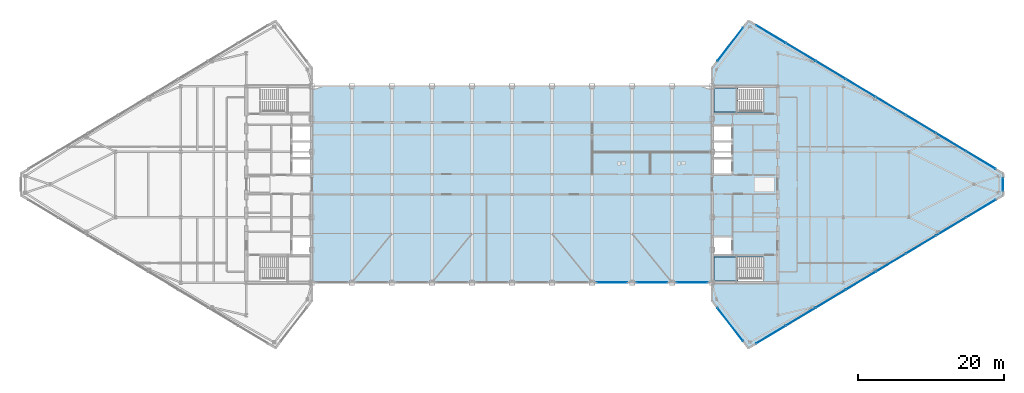
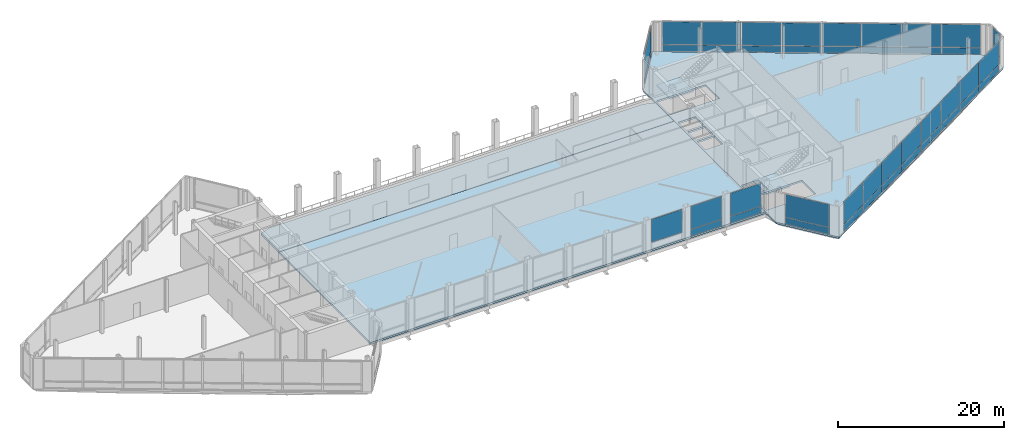
# One storey, part 20 of 28: 43 plates, 5 slabs, 10 elements without a shape of their own.
"""IFC4 building model written with IfcOpenShell, lengths in metres."""

from ifc_helpers import new_model, si_unit, direction, frame, origin, origin_2d, place, context, subcontext, project, spatial, polyline, rectangle, outline, extrude, source, transform, mapped, material, layer, layer_set, type_object, type_shapes, element, aggregate, save


model = new_model("IFC4")

# Units and contexts
model_context = context("Model", 3, precision=1e-05, world=origin(), true_north=direction((0.0, 1.0)))
body_context = subcontext(model_context, "Body", "Model", "MODEL_VIEW")
ifc_project = project(units=[si_unit("LENGTHUNIT", "METRE"), si_unit("AREAUNIT", "SQUARE_METRE"), si_unit("VOLUMEUNIT", "CUBIC_METRE"), si_unit("PLANEANGLEUNIT", "RADIAN"), si_unit("MASSUNIT", "GRAM", prefix="KILO")], contexts=[model_context])

# Site, building, storey
site_placement = place(None, origin())
site = spatial("IfcSite", under=ifc_project, at=site_placement, CompositionType="ELEMENT")
building_placement = place(site_placement, origin())
building = spatial("IfcBuilding", under=site, at=building_placement, Name="Seokmaru Belvedere", CompositionType="ELEMENT")
storey_placement = place(building_placement, frame((0.0, 0.0, 274.199951171875)))
storey = spatial("IfcBuildingStorey", under=building, at=storey_placement, Name="L72", CompositionType="ELEMENT", Elevation=274.199951171875)

# Slabs
ifc_material_1 = material(Name="Concrete C40 (40 MPa)", Category="concrete")
ifc_layer_1 = layer(ifc_material_1, 0.25)
ifc_layer_set_1 = layer_set([ifc_layer_1], Name="Concrete C40 (40 MPa)")
slab_type_1 = type_object("IfcSlabType", Name="Observation Viewing Terrace Slab 250", PredefinedType="ROOF", material=ifc_layer_set_1)
slab_1_placement = place(storey_placement, frame((0.0, 0.0, -0.25)))
element("IfcSlab", 1, at=slab_1_placement, inside=storey, type_object=slab_type_1, Name="L72 Public Observation Outdoor Viewing Terrace Slab", PredefinedType="ROOF", context=body_context, shape_type="SweptSolid", body=[
    extrude(outline(polyline([(-27.449951171875, 8.52001953125), (27.449951171875, 8.52001953125), (27.449951171875, 13.0), (26.0, 13.5), (-26.0, 13.5), (-27.449951171875, 13.0), (-27.449951171875, 8.52001953125)])), origin(), (0.0, 0.0, 1.0), 0.25),
])
ifc_material_2 = material(Name="Concrete C50 (50 MPa)", Category="concrete")
ifc_layer_2 = layer(ifc_material_2, 0.260009765625)
ifc_layer_set_2 = layer_set([ifc_layer_2], Name="Concrete C50 (50 MPa)")
slab_type_2 = type_object("IfcSlabType", Name="Refuge and Sky-Gate Heavy Floor Slab 260", PredefinedType="FLOOR", material=ifc_layer_set_2)
slab_2_placement = place(storey_placement, frame((0.0, 0.0, -0.260009765625)))
element("IfcSlab", 2, at=slab_2_placement, inside=storey, type_object=slab_type_2, Name="L72 East Leg Floor Slab", PredefinedType="FLOOR", context=body_context, shape_type="SweptSolid", body=[
    extrude(outline(polyline([(32.5, -22.5), (67.5, -1.5), (67.5, 1.5), (32.5, 22.5), (27.5, 16.0), (27.5, -16.0), (32.5, -22.5)]), holes=[polyline([(27.75, -13.25), (34.60009765625, -13.25), (34.60009765625, -9.949951171875), (27.75, -9.949951171875), (27.75, -13.25)]), polyline([(27.75, 9.949951171875), (34.60009765625, 9.949951171875), (34.60009765625, 13.25), (27.75, 13.25), (27.75, 9.949951171875)]), polyline([(27.75, -9.550048828125), (30.14990234375, -9.550048828125), (30.14990234375, -7.25), (27.75, -7.25), (27.75, -9.550048828125)]), polyline([(27.75, 1.449951171875), (30.14990234375, 1.449951171875), (30.14990234375, 3.449951171875), (27.75, 3.449951171875), (27.75, 1.449951171875)]), polyline([(27.75, 3.75), (30.14990234375, 3.75), (30.14990234375, 5.75), (27.75, 5.75), (27.75, 3.75)]), polyline([(27.75, 6.050048828125), (30.14990234375, 6.050048828125), (30.14990234375, 8.050048828125), (27.75, 8.050048828125), (27.75, 6.050048828125)])]), origin(), (0.0, 0.0, 1.0), 0.260009765625),
])
slab_3_placement = place(storey_placement, frame((0.0, 0.0, -0.260009765625)))
element("IfcSlab", 3, at=slab_3_placement, inside=storey, type_object=slab_type_2, Name="L72 Sky-Gate Observation Belvedere Floor Slab", PredefinedType="FLOOR", context=body_context, shape_type="SweptSolid", body=[
    extrude(outline(polyline([(-27.5, -13.5), (27.5, -13.5), (27.5, 8.5), (-27.5, 8.5), (-27.5, -13.5)])), origin(), (0.0, 0.0, 1.0), 0.260009765625),
])

# Stair, slab
stair_type = type_object("IfcStairType", Name="Basement Core Dog-Leg Stair 4800", PredefinedType="TWO_STRAIGHT_RUN_STAIR", material=ifc_material_1)
stair_1_placement = place(storey_placement, origin())
stair_1 = element("IfcStair", 4, at=stair_1_placement, inside=storey, type_object=stair_type, Name="L72 Special Escape Stair ST-E1", PredefinedType="TWO_STRAIGHT_RUN_STAIR")
ifc_layer_3 = layer(ifc_material_1, 0.199951171875)
ifc_layer_set_3 = layer_set([ifc_layer_3], Name="Concrete C40 (40 MPa)")
slab_type_3 = type_object("IfcSlabType", Name="Reinforced Concrete Stair Landing Slab 200", PredefinedType="LANDING", material=ifc_layer_set_3)
slab_4_placement = place(storey_placement, frame((0.0, 0.0, 2.199951171875)))
slab_4 = element("IfcSlab", 5, at=slab_4_placement, type_object=slab_type_3, Name="ST-E1 landing 1", PredefinedType="LANDING", context=body_context, shape_type="SweptSolid", body=[
    extrude(outline(polyline([(27.760009765625, -13.239990234375), (31.0400390625, -13.239990234375), (31.0400390625, -9.949951171875), (27.760009765625, -9.949951171875), (27.760009765625, -13.239990234375)])), origin(), (0.0, 0.0, 1.0), 0.2001953125),
])
aggregate(stair_1, [slab_4])

stair_2_placement = place(storey_placement, origin())
stair_2 = element("IfcStair", 6, at=stair_2_placement, inside=storey, type_object=stair_type, Name="L72 Special Escape Stair ST-E2", PredefinedType="TWO_STRAIGHT_RUN_STAIR")
slab_5_placement = place(storey_placement, frame((0.0, 0.0, 2.199951171875)))
slab_5 = element("IfcSlab", 7, at=slab_5_placement, type_object=slab_type_3, Name="ST-E2 landing 1", PredefinedType="LANDING", context=body_context, shape_type="SweptSolid", body=[
    extrude(outline(polyline([(27.760009765625, 9.949951171875), (31.0400390625, 9.949951171875), (31.0400390625, 13.239990234375), (27.760009765625, 13.239990234375), (27.760009765625, 9.949951171875)])), origin(), (0.0, 0.0, 1.0), 0.2001953125),
])
aggregate(stair_2, [slab_5])

# Curtain wall, plate
ifc_material_3 = material(Name="Bronze Triple Insulating Glass", Category="glass")
ifc_layer_4 = layer(ifc_material_3, 0.219970703125)
ifc_layer_set_4 = layer_set([ifc_layer_4], Name="Bronze Triple Insulating Glass")
curtain_wall_type = type_object("IfcCurtainWallType", Name="Sky-Gate Bridge Panorama Curtain Wall System CW-6", PredefinedType="NOTDEFINED", material=ifc_layer_set_4)
curtain_wall_1_placement = place(storey_placement, origin())
curtain_wall_1 = element("IfcCurtainWall", 8, at=curtain_wall_1_placement, inside=storey, type_object=curtain_wall_type, Name="L72 Curtain Wall EF4", PredefinedType="NOTDEFINED")
ifc_layer_5 = layer(ifc_material_3, 0.048095703125)
ifc_layer_set_5 = layer_set([ifc_layer_5], Name="Bronze Triple Insulating Glass")
plate_type_1 = type_object("IfcPlateType", Name="Insulated Bronze Spandrel Glazing Panel 48", PredefinedType="CURTAIN_PANEL", material=ifc_layer_set_5)
shared_shape_1 = source(origin(), body_context, "Body", "SweptSolid", [
    extrude(rectangle(XDim=5.740478515625, YDim=0.0419921875, at=origin_2d()), origin(), (0.0, 0.0, 1.0), 0.9375),
])
plate_1_placement = place(storey_placement, frame((30.0, 19.25, 0.074951171875), z_axis=(0.0, 0.0, 1.0), x_axis=(-0.609701187349, -0.792631353244, 0.0)))
plate_1 = element("IfcPlate", 9, at=plate_1_placement, type_object=plate_type_1, Name="CW:L72:EF4 Glazing Panel 1-1", PredefinedType="CURTAIN_PANEL", context=body_context, shape_type="MappedRepresentation", body=[
    mapped(shared_shape_1, transform((0.0, 0.0, 0.0), scale=1.0)),
])

curtain_wall_2_placement = place(storey_placement, origin())
curtain_wall_2 = element("IfcCurtainWall", 10, at=curtain_wall_2_placement, inside=storey, type_object=curtain_wall_type, Name="L72 Curtain Wall EF6", PredefinedType="NOTDEFINED")
plate_2_placement = place(storey_placement, frame((30.0, -19.25, 0.074951171875), z_axis=(0.0, 0.0, 1.0), x_axis=(0.609701187349, -0.792631353244, 0.0)))
plate_2 = element("IfcPlate", 11, at=plate_2_placement, type_object=plate_type_1, Name="CW:L72:EF6 Glazing Panel 1-1", PredefinedType="CURTAIN_PANEL", context=body_context, shape_type="MappedRepresentation", body=[
    mapped(shared_shape_1, transform((0.0, 0.0, 0.0), scale=1.0)),
])

# Curtain wall, plates
curtain_wall_3_placement = place(storey_placement, origin())
curtain_wall_3 = element("IfcCurtainWall", 12, at=curtain_wall_3_placement, inside=storey, type_object=curtain_wall_type, Name="L72 Curtain Wall EF1", PredefinedType="NOTDEFINED")
shared_shape_2 = source(origin(), body_context, "Body", "SweptSolid", [
    extrude(rectangle(XDim=4.694580078125, YDim=0.0419921875, at=origin_2d()), origin(), (0.0, 0.0, 1.0), 0.9375),
])
plate_3_placement = place(storey_placement, frame((35.5673828125, -20.659423828125, 0.074951171875), z_axis=(0.0, 0.0, 1.0), x_axis=(0.85749343335, 0.514494909364, 0.0)))
plate_3 = element("IfcPlate", 13, at=plate_3_placement, type_object=plate_type_1, Name="CW:L72:EF1 Glazing Panel 1-1", PredefinedType="CURTAIN_PANEL", context=body_context, shape_type="MappedRepresentation", body=[
    mapped(shared_shape_2, transform((0.0, 0.0, 0.0), scale=1.0)),
])
plate_4_placement = place(storey_placement, frame((64.4326171875, -3.340576171875, 0.074951171875), z_axis=(0.0, 0.0, 1.0), x_axis=(0.85749343335, 0.514494909364, 0.0)))
plate_4 = element("IfcPlate", 14, at=plate_4_placement, type_object=plate_type_1, Name="CW:L72:EF1 Glazing Panel 8-1", PredefinedType="CURTAIN_PANEL", context=body_context, shape_type="MappedRepresentation", body=[
    mapped(shared_shape_2, transform((0.0, 0.0, 0.0), scale=1.0)),
])

curtain_wall_4_placement = place(storey_placement, origin())
curtain_wall_4 = element("IfcCurtainWall", 15, at=curtain_wall_4_placement, inside=storey, type_object=curtain_wall_type, Name="L72 Curtain Wall EF3", PredefinedType="NOTDEFINED")
plate_5_placement = place(storey_placement, frame((64.4326171875, 3.340576171875, 0.074951171875), z_axis=(0.0, 0.0, 1.0), x_axis=(-0.85749343335, 0.514494909364, 0.0)))
plate_5 = element("IfcPlate", 16, at=plate_5_placement, type_object=plate_type_1, Name="CW:L72:EF3 Glazing Panel 1-1", PredefinedType="CURTAIN_PANEL", context=body_context, shape_type="MappedRepresentation", body=[
    mapped(shared_shape_2, transform((0.0, 0.0, 0.0), scale=1.0)),
])
plate_6_placement = place(storey_placement, frame((35.5673828125, 20.659423828125, 0.074951171875), z_axis=(0.0, 0.0, 1.0), x_axis=(-0.85749343335, 0.514494909364, 0.0)))
plate_6 = element("IfcPlate", 17, at=plate_6_placement, type_object=plate_type_1, Name="CW:L72:EF3 Glazing Panel 8-1", PredefinedType="CURTAIN_PANEL", context=body_context, shape_type="MappedRepresentation", body=[
    mapped(shared_shape_2, transform((0.0, 0.0, 0.0), scale=1.0)),
])

# Plate
shared_shape_3 = source(origin(), body_context, "Body", "SweptSolid", [
    extrude(rectangle(XDim=4.734619140625, YDim=0.0419921875, at=origin_2d()), origin(), (0.0, 0.0, 1.0), 0.9375),
])
plate_7_placement = place(storey_placement, frame((39.6787109375, -18.192626953125, 0.074951171875), z_axis=(0.0, 0.0, 1.0), x_axis=(0.85749343335, 0.514494909364, 0.0)))
plate_7 = element("IfcPlate", 18, at=plate_7_placement, type_object=plate_type_1, Name="CW:L72:EF1 Glazing Panel 2-1", PredefinedType="CURTAIN_PANEL", context=body_context, shape_type="MappedRepresentation", body=[
    mapped(shared_shape_3, transform((0.0, 0.0, 0.0), scale=1.0)),
])

plate_8_placement = place(storey_placement, frame((43.807373046875, -15.715576171875, 0.074951171875), z_axis=(0.0, 0.0, 1.0), x_axis=(0.85749343335, 0.514494909364, 0.0)))
plate_8 = element("IfcPlate", 19, at=plate_8_placement, type_object=plate_type_1, Name="CW:L72:EF1 Glazing Panel 3-1", PredefinedType="CURTAIN_PANEL", context=body_context, shape_type="MappedRepresentation", body=[
    mapped(shared_shape_3, transform((0.0, 0.0, 0.0), scale=1.0)),
])

plate_9_placement = place(storey_placement, frame((47.935791015625, -13.238525390625, 0.074951171875), z_axis=(0.0, 0.0, 1.0), x_axis=(0.85749343335, 0.514494909364, 0.0)))
plate_9 = element("IfcPlate", 20, at=plate_9_placement, type_object=plate_type_1, Name="CW:L72:EF1 Glazing Panel 4-1", PredefinedType="CURTAIN_PANEL", context=body_context, shape_type="MappedRepresentation", body=[
    mapped(shared_shape_3, transform((0.0, 0.0, 0.0), scale=1.0)),
])

plate_10_placement = place(storey_placement, frame((52.064208984375, -10.761474609375, 0.074951171875), z_axis=(0.0, 0.0, 1.0), x_axis=(0.85749343335, 0.514494909364, 0.0)))
plate_10 = element("IfcPlate", 21, at=plate_10_placement, type_object=plate_type_1, Name="CW:L72:EF1 Glazing Panel 5-1", PredefinedType="CURTAIN_PANEL", context=body_context, shape_type="MappedRepresentation", body=[
    mapped(shared_shape_3, transform((0.0, 0.0, 0.0), scale=1.0)),
])

plate_11_placement = place(storey_placement, frame((56.192626953125, -8.284423828125, 0.074951171875), z_axis=(0.0, 0.0, 1.0), x_axis=(0.85749343335, 0.514494909364, 0.0)))
plate_11 = element("IfcPlate", 22, at=plate_11_placement, type_object=plate_type_1, Name="CW:L72:EF1 Glazing Panel 6-1", PredefinedType="CURTAIN_PANEL", context=body_context, shape_type="MappedRepresentation", body=[
    mapped(shared_shape_3, transform((0.0, 0.0, 0.0), scale=1.0)),
])

plate_12_placement = place(storey_placement, frame((60.3212890625, -5.807373046875, 0.074951171875), z_axis=(0.0, 0.0, 1.0), x_axis=(0.85749343335, 0.514494909364, 0.0)))
plate_12 = element("IfcPlate", 23, at=plate_12_placement, type_object=plate_type_1, Name="CW:L72:EF1 Glazing Panel 7-1", PredefinedType="CURTAIN_PANEL", context=body_context, shape_type="MappedRepresentation", body=[
    mapped(shared_shape_3, transform((0.0, 0.0, 0.0), scale=1.0)),
])

plate_13_placement = place(storey_placement, frame((60.3212890625, 5.807373046875, 0.074951171875), z_axis=(0.0, 0.0, 1.0), x_axis=(-0.85749343335, 0.514494909364, 0.0)))
plate_13 = element("IfcPlate", 24, at=plate_13_placement, type_object=plate_type_1, Name="CW:L72:EF3 Glazing Panel 2-1", PredefinedType="CURTAIN_PANEL", context=body_context, shape_type="MappedRepresentation", body=[
    mapped(shared_shape_3, transform((0.0, 0.0, 0.0), scale=1.0)),
])

plate_14_placement = place(storey_placement, frame((56.192626953125, 8.284423828125, 0.074951171875), z_axis=(0.0, 0.0, 1.0), x_axis=(-0.85749343335, 0.514494909364, 0.0)))
plate_14 = element("IfcPlate", 25, at=plate_14_placement, type_object=plate_type_1, Name="CW:L72:EF3 Glazing Panel 3-1", PredefinedType="CURTAIN_PANEL", context=body_context, shape_type="MappedRepresentation", body=[
    mapped(shared_shape_3, transform((0.0, 0.0, 0.0), scale=1.0)),
])

plate_15_placement = place(storey_placement, frame((52.064208984375, 10.761474609375, 0.074951171875), z_axis=(0.0, 0.0, 1.0), x_axis=(-0.85749343335, 0.514494909364, 0.0)))
plate_15 = element("IfcPlate", 26, at=plate_15_placement, type_object=plate_type_1, Name="CW:L72:EF3 Glazing Panel 4-1", PredefinedType="CURTAIN_PANEL", context=body_context, shape_type="MappedRepresentation", body=[
    mapped(shared_shape_3, transform((0.0, 0.0, 0.0), scale=1.0)),
])

plate_16_placement = place(storey_placement, frame((47.935791015625, 13.238525390625, 0.074951171875), z_axis=(0.0, 0.0, 1.0), x_axis=(-0.85749343335, 0.514494909364, 0.0)))
plate_16 = element("IfcPlate", 27, at=plate_16_placement, type_object=plate_type_1, Name="CW:L72:EF3 Glazing Panel 5-1", PredefinedType="CURTAIN_PANEL", context=body_context, shape_type="MappedRepresentation", body=[
    mapped(shared_shape_3, transform((0.0, 0.0, 0.0), scale=1.0)),
])

plate_17_placement = place(storey_placement, frame((43.807373046875, 15.715576171875, 0.074951171875), z_axis=(0.0, 0.0, 1.0), x_axis=(-0.85749343335, 0.514494909364, 0.0)))
plate_17 = element("IfcPlate", 28, at=plate_17_placement, type_object=plate_type_1, Name="CW:L72:EF3 Glazing Panel 6-1", PredefinedType="CURTAIN_PANEL", context=body_context, shape_type="MappedRepresentation", body=[
    mapped(shared_shape_3, transform((0.0, 0.0, 0.0), scale=1.0)),
])

plate_18_placement = place(storey_placement, frame((39.6787109375, 18.192626953125, 0.074951171875), z_axis=(0.0, 0.0, 1.0), x_axis=(-0.85749343335, 0.514494909364, 0.0)))
plate_18 = element("IfcPlate", 29, at=plate_18_placement, type_object=plate_type_1, Name="CW:L72:EF3 Glazing Panel 7-1", PredefinedType="CURTAIN_PANEL", context=body_context, shape_type="MappedRepresentation", body=[
    mapped(shared_shape_3, transform((0.0, 0.0, 0.0), scale=1.0)),
])

# Curtain wall, plate
curtain_wall_5_placement = place(storey_placement, origin())
curtain_wall_5 = element("IfcCurtainWall", 30, at=curtain_wall_5_placement, inside=storey, type_object=curtain_wall_type, Name="L72 Curtain Wall EF2", PredefinedType="NOTDEFINED")
shared_shape_4 = source(origin(), body_context, "Body", "SweptSolid", [
    extrude(rectangle(XDim=1.739990234375, YDim=0.0419921875, at=origin_2d()), origin(), (0.0, 0.0, 1.0), 0.9375),
])
plate_19_placement = place(storey_placement, frame((67.5, 0.0, 0.074951171875), z_axis=(0.0, 0.0, 1.0), x_axis=(0.0, 1.0, 0.0)))
plate_19 = element("IfcPlate", 31, at=plate_19_placement, type_object=plate_type_1, Name="CW:L72:EF2 Glazing Panel 1-1", PredefinedType="CURTAIN_PANEL", context=body_context, shape_type="MappedRepresentation", body=[
    mapped(shared_shape_4, transform((0.0, 0.0, 0.0), scale=1.0)),
])

curtain_wall_6_placement = place(storey_placement, origin())
curtain_wall_6 = element("IfcCurtainWall", 32, at=curtain_wall_6_placement, inside=storey, type_object=curtain_wall_type, Name="L72 Curtain Wall BR_S09", PredefinedType="NOTDEFINED")
shared_shape_5 = source(origin(), body_context, "Body", "SweptSolid", [
    extrude(rectangle(XDim=4.239990234375, YDim=0.0419921875, at=origin_2d()), origin(), (0.0, 0.0, 1.0), 0.9375),
])
type_shapes(plate_type_1, [shared_shape_1, shared_shape_2, shared_shape_3, shared_shape_4, shared_shape_5])
plate_20_placement = place(storey_placement, frame((19.25, -13.5, 0.074951171875), z_axis=(0.0, 0.0, 1.0), x_axis=(1.0, 0.0, 0.0)))
plate_20 = element("IfcPlate", 33, at=plate_20_placement, type_object=plate_type_1, Name="CW:L72:BR_S09 Glazing Panel 1-1", PredefinedType="CURTAIN_PANEL", context=body_context, shape_type="MappedRepresentation", body=[
    mapped(shared_shape_5, transform((0.0, 0.0, 0.0), scale=1.0)),
])

curtain_wall_7_placement = place(storey_placement, origin())
curtain_wall_7 = element("IfcCurtainWall", 34, at=curtain_wall_7_placement, inside=storey, type_object=curtain_wall_type, Name="L72 Curtain Wall BR_S10", PredefinedType="NOTDEFINED")
plate_21_placement = place(storey_placement, frame((24.75, -13.5, 0.074951171875), z_axis=(0.0, 0.0, 1.0), x_axis=(1.0, 0.0, 0.0)))
plate_21 = element("IfcPlate", 35, at=plate_21_placement, type_object=plate_type_1, Name="CW:L72:BR_S10 Glazing Panel 1-1", PredefinedType="CURTAIN_PANEL", context=body_context, shape_type="MappedRepresentation", body=[
    mapped(shared_shape_5, transform((0.0, 0.0, 0.0), scale=1.0)),
])

# Plate
ifc_layer_6 = layer(ifc_material_3, 0.0419921875)
ifc_layer_set_6 = layer_set([ifc_layer_6], Name="Bronze Triple Insulating Glass")
plate_type_2 = type_object("IfcPlateType", Name="Acoustic Laminated Panorama Glazing Panel 42", PredefinedType="CURTAIN_PANEL", material=ifc_layer_set_6)
shared_shape_6 = source(origin(), body_context, "Body", "SweptSolid", [
    extrude(rectangle(XDim=5.740478515625, YDim=0.0419921875, at=origin_2d()), origin(), (0.0, 0.0, 1.0), 3.357421875),
])
plate_22_placement = place(storey_placement, frame((30.0, 19.25, 1.087646484375), z_axis=(0.0, 0.0, 1.0), x_axis=(-0.609701187349, -0.792631353244, 0.0)))
plate_22 = element("IfcPlate", 36, at=plate_22_placement, type_object=plate_type_2, Name="CW:L72:EF4 Glazing Panel 1-2", PredefinedType="CURTAIN_PANEL", context=body_context, shape_type="MappedRepresentation", body=[
    mapped(shared_shape_6, transform((0.0, 0.0, 0.0), scale=1.0)),
])

aggregate(curtain_wall_1, [plate_1, plate_22])

plate_23_placement = place(storey_placement, frame((30.0, -19.25, 1.087646484375), z_axis=(0.0, 0.0, 1.0), x_axis=(0.609701187349, -0.792631353244, 0.0)))
plate_23 = element("IfcPlate", 37, at=plate_23_placement, type_object=plate_type_2, Name="CW:L72:EF6 Glazing Panel 1-2", PredefinedType="CURTAIN_PANEL", context=body_context, shape_type="MappedRepresentation", body=[
    mapped(shared_shape_6, transform((0.0, 0.0, 0.0), scale=1.0)),
])

aggregate(curtain_wall_2, [plate_2, plate_23])

shared_shape_7 = source(origin(), body_context, "Body", "SweptSolid", [
    extrude(rectangle(XDim=4.694580078125, YDim=0.0419921875, at=origin_2d()), origin(), (0.0, 0.0, 1.0), 3.357421875),
])
plate_24_placement = place(storey_placement, frame((35.5673828125, -20.659423828125, 1.087646484375), z_axis=(0.0, 0.0, 1.0), x_axis=(0.85749343335, 0.514494909364, 0.0)))
plate_24 = element("IfcPlate", 38, at=plate_24_placement, type_object=plate_type_2, Name="CW:L72:EF1 Glazing Panel 1-2", PredefinedType="CURTAIN_PANEL", context=body_context, shape_type="MappedRepresentation", body=[
    mapped(shared_shape_7, transform((0.0, 0.0, 0.0), scale=1.0)),
])

plate_25_placement = place(storey_placement, frame((64.4326171875, -3.340576171875, 1.087646484375), z_axis=(0.0, 0.0, 1.0), x_axis=(0.85749343335, 0.514494909364, 0.0)))
plate_25 = element("IfcPlate", 39, at=plate_25_placement, type_object=plate_type_2, Name="CW:L72:EF1 Glazing Panel 8-2", PredefinedType="CURTAIN_PANEL", context=body_context, shape_type="MappedRepresentation", body=[
    mapped(shared_shape_7, transform((0.0, 0.0, 0.0), scale=1.0)),
])

plate_26_placement = place(storey_placement, frame((64.4326171875, 3.340576171875, 1.087646484375), z_axis=(0.0, 0.0, 1.0), x_axis=(-0.85749343335, 0.514494909364, 0.0)))
plate_26 = element("IfcPlate", 40, at=plate_26_placement, type_object=plate_type_2, Name="CW:L72:EF3 Glazing Panel 1-2", PredefinedType="CURTAIN_PANEL", context=body_context, shape_type="MappedRepresentation", body=[
    mapped(shared_shape_7, transform((0.0, 0.0, 0.0), scale=1.0)),
])

plate_27_placement = place(storey_placement, frame((35.5673828125, 20.659423828125, 1.087646484375), z_axis=(0.0, 0.0, 1.0), x_axis=(-0.85749343335, 0.514494909364, 0.0)))
plate_27 = element("IfcPlate", 41, at=plate_27_placement, type_object=plate_type_2, Name="CW:L72:EF3 Glazing Panel 8-2", PredefinedType="CURTAIN_PANEL", context=body_context, shape_type="MappedRepresentation", body=[
    mapped(shared_shape_7, transform((0.0, 0.0, 0.0), scale=1.0)),
])

shared_shape_8 = source(origin(), body_context, "Body", "SweptSolid", [
    extrude(rectangle(XDim=4.734619140625, YDim=0.0419921875, at=origin_2d()), origin(), (0.0, 0.0, 1.0), 3.357421875),
])
plate_28_placement = place(storey_placement, frame((39.6787109375, -18.192626953125, 1.087646484375), z_axis=(0.0, 0.0, 1.0), x_axis=(0.85749343335, 0.514494909364, 0.0)))
plate_28 = element("IfcPlate", 42, at=plate_28_placement, type_object=plate_type_2, Name="CW:L72:EF1 Glazing Panel 2-2", PredefinedType="CURTAIN_PANEL", context=body_context, shape_type="MappedRepresentation", body=[
    mapped(shared_shape_8, transform((0.0, 0.0, 0.0), scale=1.0)),
])

plate_29_placement = place(storey_placement, frame((43.807373046875, -15.715576171875, 1.087646484375), z_axis=(0.0, 0.0, 1.0), x_axis=(0.85749343335, 0.514494909364, 0.0)))
plate_29 = element("IfcPlate", 43, at=plate_29_placement, type_object=plate_type_2, Name="CW:L72:EF1 Glazing Panel 3-2", PredefinedType="CURTAIN_PANEL", context=body_context, shape_type="MappedRepresentation", body=[
    mapped(shared_shape_8, transform((0.0, 0.0, 0.0), scale=1.0)),
])

plate_30_placement = place(storey_placement, frame((47.935791015625, -13.238525390625, 1.087646484375), z_axis=(0.0, 0.0, 1.0), x_axis=(0.85749343335, 0.514494909364, 0.0)))
plate_30 = element("IfcPlate", 44, at=plate_30_placement, type_object=plate_type_2, Name="CW:L72:EF1 Glazing Panel 4-2", PredefinedType="CURTAIN_PANEL", context=body_context, shape_type="MappedRepresentation", body=[
    mapped(shared_shape_8, transform((0.0, 0.0, 0.0), scale=1.0)),
])

plate_31_placement = place(storey_placement, frame((52.064208984375, -10.761474609375, 1.087646484375), z_axis=(0.0, 0.0, 1.0), x_axis=(0.85749343335, 0.514494909364, 0.0)))
plate_31 = element("IfcPlate", 45, at=plate_31_placement, type_object=plate_type_2, Name="CW:L72:EF1 Glazing Panel 5-2", PredefinedType="CURTAIN_PANEL", context=body_context, shape_type="MappedRepresentation", body=[
    mapped(shared_shape_8, transform((0.0, 0.0, 0.0), scale=1.0)),
])

plate_32_placement = place(storey_placement, frame((56.192626953125, -8.284423828125, 1.087646484375), z_axis=(0.0, 0.0, 1.0), x_axis=(0.85749343335, 0.514494909364, 0.0)))
plate_32 = element("IfcPlate", 46, at=plate_32_placement, type_object=plate_type_2, Name="CW:L72:EF1 Glazing Panel 6-2", PredefinedType="CURTAIN_PANEL", context=body_context, shape_type="MappedRepresentation", body=[
    mapped(shared_shape_8, transform((0.0, 0.0, 0.0), scale=1.0)),
])

plate_33_placement = place(storey_placement, frame((60.3212890625, -5.807373046875, 1.087646484375), z_axis=(0.0, 0.0, 1.0), x_axis=(0.85749343335, 0.514494909364, 0.0)))
plate_33 = element("IfcPlate", 47, at=plate_33_placement, type_object=plate_type_2, Name="CW:L72:EF1 Glazing Panel 7-2", PredefinedType="CURTAIN_PANEL", context=body_context, shape_type="MappedRepresentation", body=[
    mapped(shared_shape_8, transform((0.0, 0.0, 0.0), scale=1.0)),
])

aggregate(curtain_wall_3, [plate_3, plate_24, plate_7, plate_28, plate_8, plate_29, plate_9, plate_30, plate_10, plate_31, plate_11, plate_32, plate_12, plate_33, plate_4, plate_25])

plate_34_placement = place(storey_placement, frame((60.3212890625, 5.807373046875, 1.087646484375), z_axis=(0.0, 0.0, 1.0), x_axis=(-0.85749343335, 0.514494909364, 0.0)))
plate_34 = element("IfcPlate", 48, at=plate_34_placement, type_object=plate_type_2, Name="CW:L72:EF3 Glazing Panel 2-2", PredefinedType="CURTAIN_PANEL", context=body_context, shape_type="MappedRepresentation", body=[
    mapped(shared_shape_8, transform((0.0, 0.0, 0.0), scale=1.0)),
])

plate_35_placement = place(storey_placement, frame((56.192626953125, 8.284423828125, 1.087646484375), z_axis=(0.0, 0.0, 1.0), x_axis=(-0.85749343335, 0.514494909364, 0.0)))
plate_35 = element("IfcPlate", 49, at=plate_35_placement, type_object=plate_type_2, Name="CW:L72:EF3 Glazing Panel 3-2", PredefinedType="CURTAIN_PANEL", context=body_context, shape_type="MappedRepresentation", body=[
    mapped(shared_shape_8, transform((0.0, 0.0, 0.0), scale=1.0)),
])

plate_36_placement = place(storey_placement, frame((52.064208984375, 10.761474609375, 1.087646484375), z_axis=(0.0, 0.0, 1.0), x_axis=(-0.85749343335, 0.514494909364, 0.0)))
plate_36 = element("IfcPlate", 50, at=plate_36_placement, type_object=plate_type_2, Name="CW:L72:EF3 Glazing Panel 4-2", PredefinedType="CURTAIN_PANEL", context=body_context, shape_type="MappedRepresentation", body=[
    mapped(shared_shape_8, transform((0.0, 0.0, 0.0), scale=1.0)),
])

plate_37_placement = place(storey_placement, frame((47.935791015625, 13.238525390625, 1.087646484375), z_axis=(0.0, 0.0, 1.0), x_axis=(-0.85749343335, 0.514494909364, 0.0)))
plate_37 = element("IfcPlate", 51, at=plate_37_placement, type_object=plate_type_2, Name="CW:L72:EF3 Glazing Panel 5-2", PredefinedType="CURTAIN_PANEL", context=body_context, shape_type="MappedRepresentation", body=[
    mapped(shared_shape_8, transform((0.0, 0.0, 0.0), scale=1.0)),
])

plate_38_placement = place(storey_placement, frame((43.807373046875, 15.715576171875, 1.087646484375), z_axis=(0.0, 0.0, 1.0), x_axis=(-0.85749343335, 0.514494909364, 0.0)))
plate_38 = element("IfcPlate", 52, at=plate_38_placement, type_object=plate_type_2, Name="CW:L72:EF3 Glazing Panel 6-2", PredefinedType="CURTAIN_PANEL", context=body_context, shape_type="MappedRepresentation", body=[
    mapped(shared_shape_8, transform((0.0, 0.0, 0.0), scale=1.0)),
])

plate_39_placement = place(storey_placement, frame((39.6787109375, 18.192626953125, 1.087646484375), z_axis=(0.0, 0.0, 1.0), x_axis=(-0.85749343335, 0.514494909364, 0.0)))
plate_39 = element("IfcPlate", 53, at=plate_39_placement, type_object=plate_type_2, Name="CW:L72:EF3 Glazing Panel 7-2", PredefinedType="CURTAIN_PANEL", context=body_context, shape_type="MappedRepresentation", body=[
    mapped(shared_shape_8, transform((0.0, 0.0, 0.0), scale=1.0)),
])

aggregate(curtain_wall_4, [plate_5, plate_26, plate_13, plate_34, plate_14, plate_35, plate_15, plate_36, plate_16, plate_37, plate_17, plate_38, plate_18, plate_39, plate_6, plate_27])

shared_shape_9 = source(origin(), body_context, "Body", "SweptSolid", [
    extrude(rectangle(XDim=1.739990234375, YDim=0.0419921875, at=origin_2d()), origin(), (0.0, 0.0, 1.0), 3.357421875),
])
plate_40_placement = place(storey_placement, frame((67.5, 0.0, 1.087646484375), z_axis=(0.0, 0.0, 1.0), x_axis=(0.0, 1.0, 0.0)))
plate_40 = element("IfcPlate", 54, at=plate_40_placement, type_object=plate_type_2, Name="CW:L72:EF2 Glazing Panel 1-2", PredefinedType="CURTAIN_PANEL", context=body_context, shape_type="MappedRepresentation", body=[
    mapped(shared_shape_9, transform((0.0, 0.0, 0.0), scale=1.0)),
])

aggregate(curtain_wall_5, [plate_19, plate_40])

# Curtain wall, plate
curtain_wall_8_placement = place(storey_placement, origin())
curtain_wall_8 = element("IfcCurtainWall", 55, at=curtain_wall_8_placement, inside=storey, type_object=curtain_wall_type, Name="L72 Curtain Wall BR_S08", PredefinedType="NOTDEFINED")
shared_shape_10 = source(origin(), body_context, "Body", "SweptSolid", [
    extrude(rectangle(XDim=4.239990234375, YDim=0.0419921875, at=origin_2d()), origin(), (0.0, 0.0, 1.0), 3.357421875),
])
type_shapes(plate_type_2, [shared_shape_6, shared_shape_7, shared_shape_8, shared_shape_9, shared_shape_10])
plate_41_placement = place(storey_placement, frame((13.75, -13.5, 1.087646484375), z_axis=(0.0, 0.0, 1.0), x_axis=(1.0, 0.0, 0.0)))
plate_41 = element("IfcPlate", 56, at=plate_41_placement, type_object=plate_type_2, Name="CW:L72:BR_S08 Glazing Panel 1-2", PredefinedType="CURTAIN_PANEL", context=body_context, shape_type="MappedRepresentation", body=[
    mapped(shared_shape_10, transform((0.0, 0.0, 0.0), scale=1.0)),
])
aggregate(curtain_wall_8, [plate_41])

# Plate
plate_42_placement = place(storey_placement, frame((19.25, -13.5, 1.087646484375), z_axis=(0.0, 0.0, 1.0), x_axis=(1.0, 0.0, 0.0)))
plate_42 = element("IfcPlate", 57, at=plate_42_placement, type_object=plate_type_2, Name="CW:L72:BR_S09 Glazing Panel 1-2", PredefinedType="CURTAIN_PANEL", context=body_context, shape_type="MappedRepresentation", body=[
    mapped(shared_shape_10, transform((0.0, 0.0, 0.0), scale=1.0)),
])

aggregate(curtain_wall_6, [plate_20, plate_42])

plate_43_placement = place(storey_placement, frame((24.75, -13.5, 1.087646484375), z_axis=(0.0, 0.0, 1.0), x_axis=(1.0, 0.0, 0.0)))
plate_43 = element("IfcPlate", 58, at=plate_43_placement, type_object=plate_type_2, Name="CW:L72:BR_S10 Glazing Panel 1-2", PredefinedType="CURTAIN_PANEL", context=body_context, shape_type="MappedRepresentation", body=[
    mapped(shared_shape_10, transform((0.0, 0.0, 0.0), scale=1.0)),
])

aggregate(curtain_wall_7, [plate_21, plate_43])

save(model, "model.ifc")
